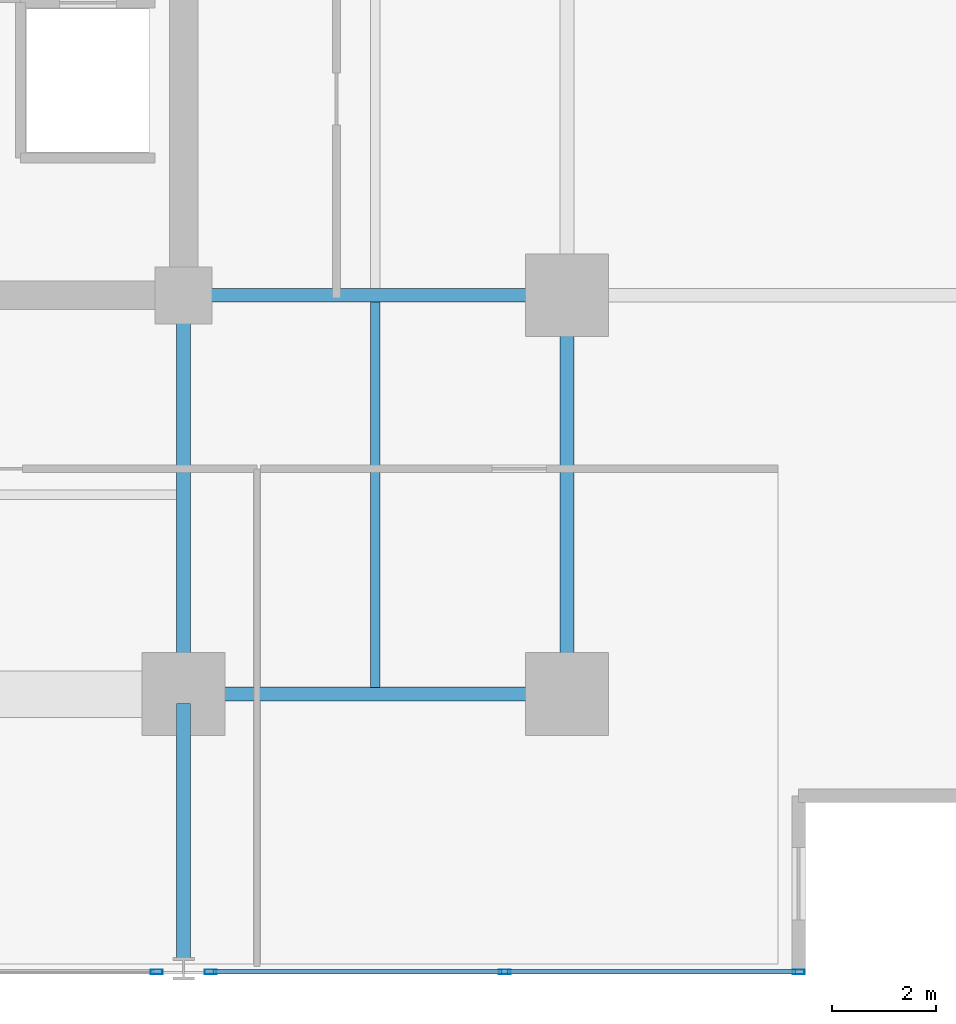
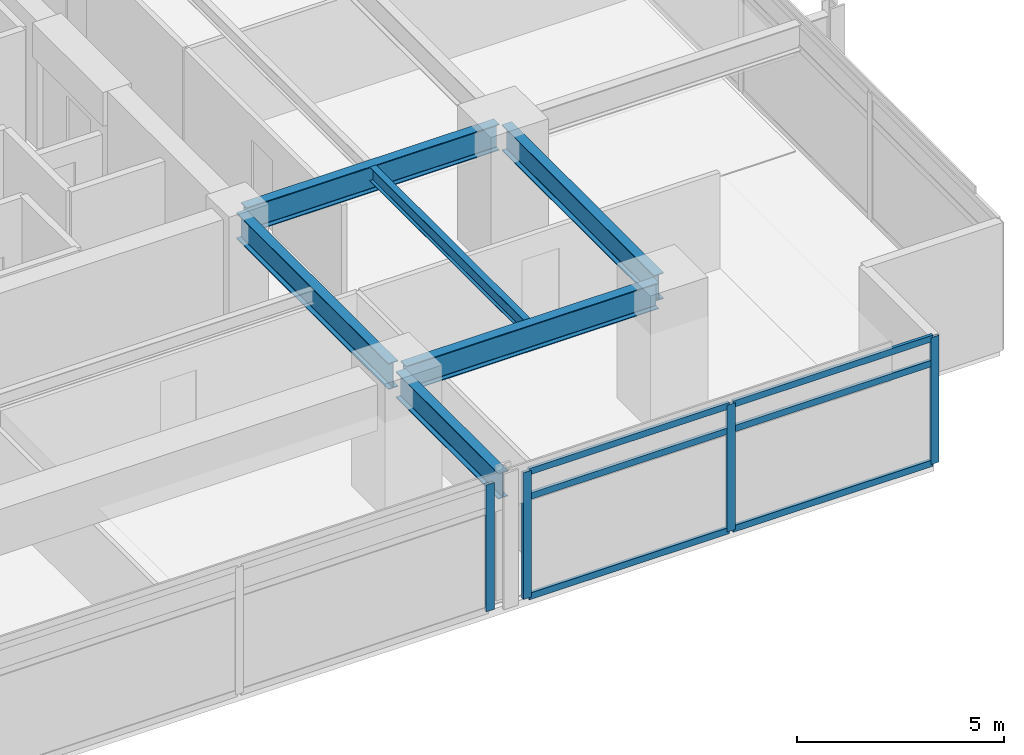
# One storey, part 6 of 20: 10 members, 6 beams, 2 elements without a shape of their own.
"""IFC4 building model written with IfcOpenShell, lengths in metres."""

from ifc_helpers import new_model, si_unit, direction, frame, origin, origin_2d, place, context, subcontext, project, spatial, hollow_rectangle, i_section, extrude, material, material_profile, profile_set, type_object, element, aggregate, save


model = new_model("IFC4")

# Units and contexts
model_context = context("Model", 3, precision=1e-05, world=origin(), true_north=direction((0.0, 1.0)))
body_context = subcontext(model_context, "Body", "Model", "MODEL_VIEW")
ifc_project = project(units=[si_unit("LENGTHUNIT", "METRE"), si_unit("AREAUNIT", "SQUARE_METRE"), si_unit("VOLUMEUNIT", "CUBIC_METRE"), si_unit("PLANEANGLEUNIT", "RADIAN"), si_unit("MASSUNIT", "GRAM", prefix="KILO")], contexts=[model_context])

# Site, building, storey
site_placement = place(None, origin())
site = spatial("IfcSite", under=ifc_project, at=site_placement, CompositionType="ELEMENT")
building_placement = place(site_placement, origin())
building = spatial("IfcBuilding", under=site, at=building_placement, Name="Kovane Verandah Tower", CompositionType="ELEMENT")
storey_placement = place(building_placement, frame((0.0, 0.0, 160.39990234375)))
storey = spatial("IfcBuildingStorey", under=building, at=storey_placement, Name="L37", CompositionType="ELEMENT", Elevation=160.39990234375)

# Beams
ifc_material_1 = material(Name="Steel S355", Category="steel")
ifc_material_profile_1 = material_profile(ifc_material_1, i_section(OverallWidth=0.26806640625, OverallDepth=0.769775390625, WebThickness=0.015625, FlangeThickness=0.025390625, FilletRadius=0.0166015625, at=origin_2d()), Name="UB762x267x197")
ifc_profile_set_1 = profile_set([ifc_material_profile_1], Name="Steel S355")
beam_type_1 = type_object("IfcBeamType", Name="BM-UB762x197", PredefinedType="BEAM", material=ifc_profile_set_1)
beam_1_placement = place(storey_placement, frame((51.179931640625, 10.800048828125, 3.39013671875), z_axis=(1.0, 0.0, 0.0), x_axis=(0.0, 1.0, 0.0)))
element("IfcBeam", 1, at=beam_1_placement, inside=storey, type_object=beam_type_1, Name="L37 Primary Tower Girder G-RS3", PredefinedType="BEAM", context=body_context, shape_type="SweptSolid", body=[
    extrude(i_section(OverallWidth=0.26806640625, OverallDepth=0.769775390625, WebThickness=0.015625, FlangeThickness=0.025390625, FilletRadius=0.0166015625, at=origin_2d()), origin(), (0.0, 0.0, 1.0), 7.0400390625),
])
beam_2_placement = place(storey_placement, frame((58.39990234375, 10.97998046875, 3.39013671875), z_axis=(0.0, 1.0, 0.0), x_axis=(-1.0, 0.0, 0.0)))
element("IfcBeam", 2, at=beam_2_placement, inside=storey, type_object=beam_type_1, Name="L37 Primary Tower Girder G-RE1", PredefinedType="BEAM", context=body_context, shape_type="SweptSolid", body=[
    extrude(i_section(OverallWidth=0.26806640625, OverallDepth=0.769775390625, WebThickness=0.015625, FlangeThickness=0.025390625, FilletRadius=0.0166015625, at=origin_2d()), origin(), (0.0, 0.0, 1.0), 7.340087890625),
])
beam_3_placement = place(storey_placement, frame((51.179931640625, 18.5, 3.39013671875), z_axis=(1.0, 0.0, 0.0), x_axis=(0.0, 1.0, 0.0)))
element("IfcBeam", 3, at=beam_3_placement, inside=storey, type_object=beam_type_1, Name="L37 Primary Tower Girder G-E1", PredefinedType="BEAM", context=body_context, shape_type="SweptSolid", body=[
    extrude(i_section(OverallWidth=0.26806640625, OverallDepth=0.769775390625, WebThickness=0.015625, FlangeThickness=0.025390625, FilletRadius=0.0166015625, at=origin_2d()), origin(), (0.0, 0.0, 1.0), 7.0400390625),
])
beam_4_placement = place(storey_placement, frame((51.0, 18.320068359375, 3.39013671875), z_axis=(0.0, -1.0, 0.0), x_axis=(1.0, 0.0, 0.0)))
element("IfcBeam", 4, at=beam_4_placement, inside=storey, type_object=beam_type_1, Name="L37 Primary Tower Girder G-S2", PredefinedType="BEAM", context=body_context, shape_type="SweptSolid", body=[
    extrude(i_section(OverallWidth=0.26806640625, OverallDepth=0.769775390625, WebThickness=0.015625, FlangeThickness=0.025390625, FilletRadius=0.0166015625, at=origin_2d()), origin(), (0.0, 0.0, 1.0), 7.340087890625),
])
beam_5_placement = place(storey_placement, frame((51.0, 10.6201171875, 3.375244140625), z_axis=(0.0, -1.0, 0.0), x_axis=(1.0, 0.0, 0.0)))
element("IfcBeam", 5, at=beam_5_placement, inside=storey, type_object=beam_type_1, Name="L37 Primary Tower Girder G-VS2", PredefinedType="BEAM", context=body_context, shape_type="SweptSolid", body=[
    extrude(i_section(OverallWidth=0.26806640625, OverallDepth=0.769775390625, WebThickness=0.015625, FlangeThickness=0.025390625, FilletRadius=0.0166015625, at=origin_2d()), origin(), (0.0, 0.0, 1.0), 4.940185546875),
])

# Curtain wall, member
ifc_material_2 = material(Name="Champagne Anodised Aluminium Frame with Low-E Clear Laminated Glass", Category="aluminium")
curtain_wall_type = type_object("IfcCurtainWallType", Name="CW-SYS-03-MID", PredefinedType="NOTDEFINED", material=ifc_material_2)
curtain_wall_1_placement = place(storey_placement, origin())
curtain_wall_1 = element("IfcCurtainWall", 6, at=curtain_wall_1_placement, inside=storey, type_object=curtain_wall_type, Name="L37 S Unitised Curtain Wall-2", PredefinedType="NOTDEFINED")
ifc_material_3 = material(Name="Champagne Anodised Aluminium 6063-T6", Category="aluminium")
ifc_material_profile_2 = material_profile(ifc_material_3, hollow_rectangle(XDim=0.0849609375, YDim=0.22998046875, WallThickness=0.00390625, at=origin_2d()), Name="AL85x230x4")
ifc_profile_set_2 = profile_set([ifc_material_profile_2], Name="Champagne Anodised Aluminium 6063-T6")
member_type_1 = type_object("IfcMemberType", Name="CW-MUL-85x230", PredefinedType="MULLION", material=ifc_profile_set_2)
member_1_placement = place(storey_placement, frame((50.47998046875, 5.438720703125, 0.02001953125), z_axis=(0.0, 0.0, 1.0), x_axis=(0.0, -1.0, 0.0)))
member_1 = element("IfcMember", 7, at=member_1_placement, type_object=member_type_1, Name="L37 S Unitised Curtain Wall-2 Mullion 4", PredefinedType="MULLION", context=body_context, shape_type="SweptSolid", body=[
    extrude(hollow_rectangle(XDim=0.0849609375, YDim=0.22998046875, WallThickness=0.00390625, at=origin_2d()), origin(), (0.0, 0.0, 1.0), 3.735107421875),
])
aggregate(curtain_wall_1, [member_1])

# Curtain wall, members
curtain_wall_2_placement = place(storey_placement, origin())
curtain_wall_2 = element("IfcCurtainWall", 8, at=curtain_wall_2_placement, inside=storey, type_object=curtain_wall_type, Name="L37 S Unitised Curtain Wall-3", PredefinedType="NOTDEFINED")
member_2_placement = place(storey_placement, frame((51.52001953125, 5.438720703125, 0.02001953125), z_axis=(0.0, 0.0, 1.0), x_axis=(0.0, -1.0, 0.0)))
member_2 = element("IfcMember", 9, at=member_2_placement, type_object=member_type_1, Name="L37 S Unitised Curtain Wall-3 Mullion 1", PredefinedType="MULLION", context=body_context, shape_type="SweptSolid", body=[
    extrude(hollow_rectangle(XDim=0.0849609375, YDim=0.22998046875, WallThickness=0.00390625, at=origin_2d()), origin(), (0.0, 0.0, 1.0), 3.735107421875),
])
member_3_placement = place(storey_placement, frame((57.1962890625, 5.438720703125, 0.02001953125), z_axis=(0.0, 0.0, 1.0), x_axis=(0.0, -1.0, 0.0)))
member_3 = element("IfcMember", 10, at=member_3_placement, type_object=member_type_1, Name="L37 S Unitised Curtain Wall-3 Mullion 2", PredefinedType="MULLION", context=body_context, shape_type="SweptSolid", body=[
    extrude(hollow_rectangle(XDim=0.0849609375, YDim=0.22998046875, WallThickness=0.00390625, at=origin_2d()), origin(), (0.0, 0.0, 1.0), 3.735107421875),
])
member_4_placement = place(storey_placement, frame((62.872314453125, 5.438720703125, 0.02001953125), z_axis=(0.0, 0.0, 1.0), x_axis=(0.0, -1.0, 0.0)))
member_4 = element("IfcMember", 11, at=member_4_placement, type_object=member_type_1, Name="L37 S Unitised Curtain Wall-3 Mullion 3", PredefinedType="MULLION", context=body_context, shape_type="SweptSolid", body=[
    extrude(hollow_rectangle(XDim=0.0849609375, YDim=0.22998046875, WallThickness=0.00390625, at=origin_2d()), origin(), (0.0, 0.0, 1.0), 3.735107421875),
])
ifc_material_profile_3 = material_profile(ifc_material_3, hollow_rectangle(XDim=0.0849609375, YDim=0.18994140625, WallThickness=0.00390625, at=origin_2d()), Name="AL85x190x4")
ifc_profile_set_3 = profile_set([ifc_material_profile_3], Name="Champagne Anodised Aluminium 6063-T6")
member_type_2 = type_object("IfcMemberType", Name="CW-TRN-85x190", PredefinedType="USERDEFINED", material=ifc_profile_set_3)
member_5_placement = place(storey_placement, frame((51.570068359375, 5.438720703125, 0.050048828125), z_axis=(1.0, 0.0, 0.0), x_axis=(0.0, 1.0, 0.0)))
member_5 = element("IfcMember", 12, at=member_5_placement, type_object=member_type_2, Name="L37 S Unitised Curtain Wall-3 Transom TB Bay 1", ObjectType="TRANSOM", PredefinedType="USERDEFINED", context=body_context, shape_type="SweptSolid", body=[
    extrude(hollow_rectangle(XDim=0.0849609375, YDim=0.18994140625, WallThickness=0.00390625, at=origin_2d()), origin(), (0.0, 0.0, 1.0), 5.576171875),
])
member_6_placement = place(storey_placement, frame((51.570068359375, 5.438720703125, 2.9951171875), z_axis=(1.0, 0.0, 0.0), x_axis=(0.0, 1.0, 0.0)))
member_6 = element("IfcMember", 13, at=member_6_placement, type_object=member_type_2, Name="L37 S Unitised Curtain Wall-3 Transom TM Bay 1", ObjectType="TRANSOM", PredefinedType="USERDEFINED", context=body_context, shape_type="SweptSolid", body=[
    extrude(hollow_rectangle(XDim=0.0849609375, YDim=0.18994140625, WallThickness=0.00390625, at=origin_2d()), origin(), (0.0, 0.0, 1.0), 5.576171875),
])
member_7_placement = place(storey_placement, frame((51.570068359375, 5.438720703125, 3.72509765625), z_axis=(1.0, 0.0, 0.0), x_axis=(0.0, 1.0, 0.0)))
member_7 = element("IfcMember", 14, at=member_7_placement, type_object=member_type_2, Name="L37 S Unitised Curtain Wall-3 Transom TT Bay 1", ObjectType="TRANSOM", PredefinedType="USERDEFINED", context=body_context, shape_type="SweptSolid", body=[
    extrude(hollow_rectangle(XDim=0.0849609375, YDim=0.18994140625, WallThickness=0.00390625, at=origin_2d()), origin(), (0.0, 0.0, 1.0), 5.576171875),
])
member_8_placement = place(storey_placement, frame((57.24609375, 5.438720703125, 0.050048828125), z_axis=(1.0, 0.0, 0.0), x_axis=(0.0, 1.0, 0.0)))
member_8 = element("IfcMember", 15, at=member_8_placement, type_object=member_type_2, Name="L37 S Unitised Curtain Wall-3 Transom TB Bay 2", ObjectType="TRANSOM", PredefinedType="USERDEFINED", context=body_context, shape_type="SweptSolid", body=[
    extrude(hollow_rectangle(XDim=0.0849609375, YDim=0.18994140625, WallThickness=0.00390625, at=origin_2d()), origin(), (0.0, 0.0, 1.0), 5.576416015625),
])
member_9_placement = place(storey_placement, frame((57.24609375, 5.438720703125, 2.9951171875), z_axis=(1.0, 0.0, 0.0), x_axis=(0.0, 1.0, 0.0)))
member_9 = element("IfcMember", 16, at=member_9_placement, type_object=member_type_2, Name="L37 S Unitised Curtain Wall-3 Transom TM Bay 2", ObjectType="TRANSOM", PredefinedType="USERDEFINED", context=body_context, shape_type="SweptSolid", body=[
    extrude(hollow_rectangle(XDim=0.0849609375, YDim=0.18994140625, WallThickness=0.00390625, at=origin_2d()), origin(), (0.0, 0.0, 1.0), 5.576416015625),
])
member_10_placement = place(storey_placement, frame((57.24609375, 5.438720703125, 3.72509765625), z_axis=(1.0, 0.0, 0.0), x_axis=(0.0, 1.0, 0.0)))
member_10 = element("IfcMember", 17, at=member_10_placement, type_object=member_type_2, Name="L37 S Unitised Curtain Wall-3 Transom TT Bay 2", ObjectType="TRANSOM", PredefinedType="USERDEFINED", context=body_context, shape_type="SweptSolid", body=[
    extrude(hollow_rectangle(XDim=0.0849609375, YDim=0.18994140625, WallThickness=0.00390625, at=origin_2d()), origin(), (0.0, 0.0, 1.0), 5.576416015625),
])
aggregate(curtain_wall_2, [member_2, member_3, member_4, member_5, member_6, member_7, member_8, member_9, member_10])

# Beam
ifc_material_profile_4 = material_profile(ifc_material_1, i_section(OverallWidth=0.179443359375, OverallDepth=0.412841796875, WebThickness=0.009521484375, FlangeThickness=0.01611328125, FilletRadius=0.01025390625, at=origin_2d()), Name="UB406x178x74")
ifc_profile_set_4 = profile_set([ifc_material_profile_4], Name="Steel S355")
beam_type_2 = type_object("IfcBeamType", Name="JST-UB406x74", PredefinedType="JOIST", material=ifc_profile_set_4)
beam_6_placement = place(storey_placement, frame((54.699951171875, 10.931884765625, 3.568603515625), z_axis=(0.0, 1.0, 0.0), x_axis=(-1.0, 0.0, 0.0)))
element("IfcBeam", 18, at=beam_6_placement, inside=storey, type_object=beam_type_2, Name="L37 Secondary Composite Joist J-SE1", PredefinedType="JOIST", context=body_context, shape_type="SweptSolid", body=[
    extrude(i_section(OverallWidth=0.179443359375, OverallDepth=0.412841796875, WebThickness=0.009521484375, FlangeThickness=0.01611328125, FilletRadius=0.01025390625, at=origin_2d()), origin(), (0.0, 0.0, 1.0), 7.43603515625),
])

save(model, "model.ifc")
